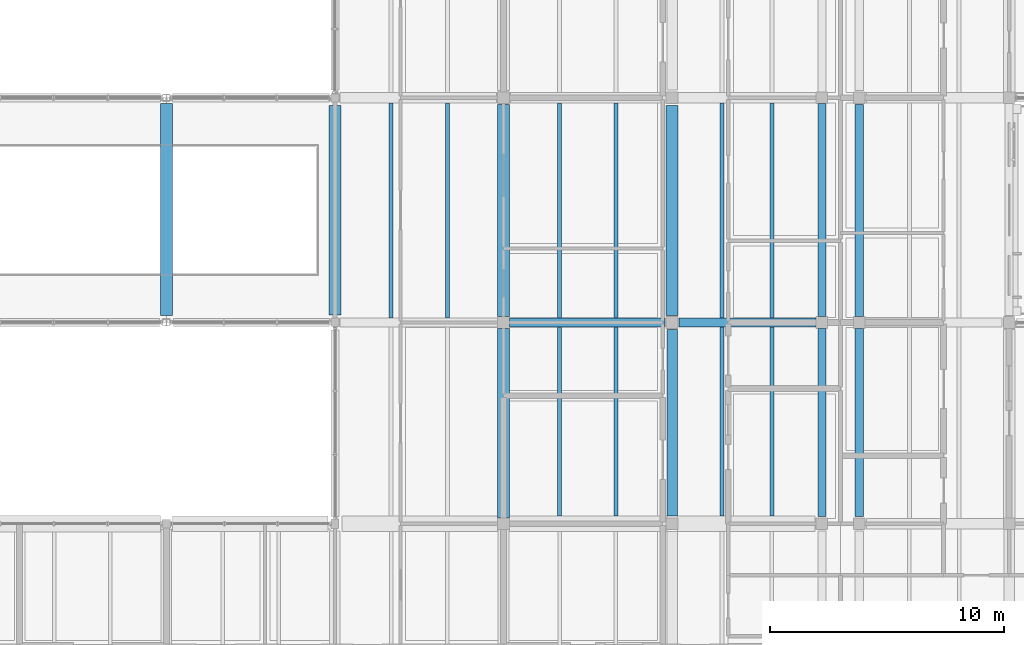
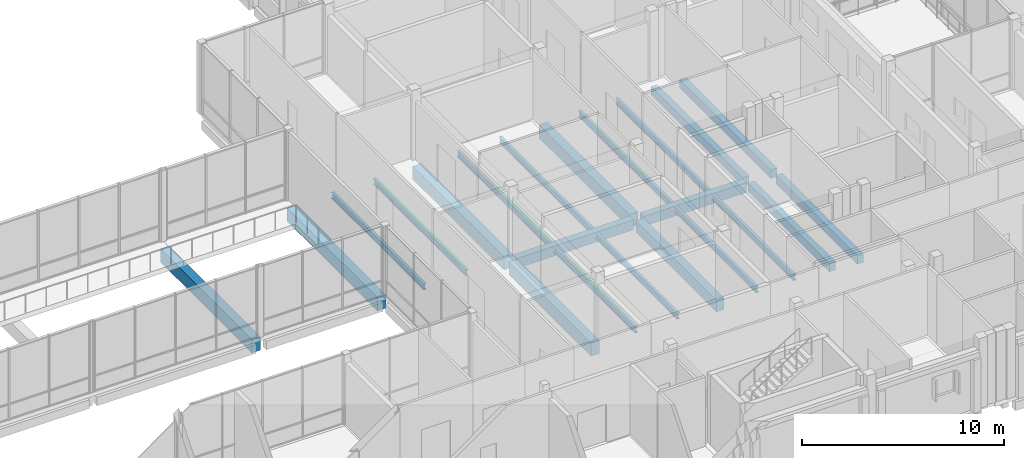
# One storey, part 73 of 146: 22 beams.
"""IFC4 building model written with IfcOpenShell, lengths in metres."""

from ifc_helpers import new_model, si_unit, direction, frame, origin, origin_2d, place, context, subcontext, project, spatial, rectangle, i_section, extrude, material, material_profile, profile_set, type_object, element, save


model = new_model("IFC4")

# Units and contexts
model_context = context("Model", 3, precision=1e-05, world=origin(), true_north=direction((0.0, 1.0)))
body_context = subcontext(model_context, "Body", "Model", "MODEL_VIEW")
ifc_project = project(units=[si_unit("LENGTHUNIT", "METRE"), si_unit("AREAUNIT", "SQUARE_METRE"), si_unit("VOLUMEUNIT", "CUBIC_METRE"), si_unit("PLANEANGLEUNIT", "RADIAN"), si_unit("MASSUNIT", "GRAM", prefix="KILO")], contexts=[model_context])

# Site, building, storey
site_placement = place(None, origin())
site = spatial("IfcSite", under=ifc_project, at=site_placement, CompositionType="ELEMENT")
building_placement = place(site_placement, origin())
building = spatial("IfcBuilding", under=site, at=building_placement, Name="Hawrajan Terrace Health Centre", CompositionType="ELEMENT")
storey_placement = place(building_placement, frame((0.0, 0.0, 4.5)))
storey = spatial("IfcBuildingStorey", under=building, at=storey_placement, Name="L01", CompositionType="ELEMENT", Elevation=4.5)

# Beams
ifc_material_1 = material(Name="Concrete C40/50", Category="concrete")
ifc_material_profile_1 = material_profile(ifc_material_1, rectangle(XDim=0.39990234375, YDim=0.60009765625, at=origin_2d()), Name="RC BM 400x600")
ifc_profile_set_1 = profile_set([ifc_material_profile_1], Name="Concrete C40/50")
beam_type_1 = type_object("IfcBeamType", Name="RCGirder_400x600", PredefinedType="BEAM", material=ifc_profile_set_1)
beam_1_placement = place(storey_placement, frame((115.25, 27.199951171875, -0.60009765625), z_axis=(1.0, 0.0, 0.0), x_axis=(0.0, 1.0, 0.0)))
element("IfcBeam", 1, at=beam_1_placement, inside=storey, type_object=beam_type_1, Name="Beam BM-X-L01-C-15-Y4", PredefinedType="BEAM", context=body_context, shape_type="SweptSolid", body=[
    extrude(rectangle(XDim=0.39990234375, YDim=0.60009765625, at=origin_2d()), origin(), (0.0, 0.0, 1.0), 6.64990234375),
])
beam_2_placement = place(storey_placement, frame((122.5, 27.199951171875, -0.60009765625), z_axis=(1.0, 0.0, 0.0), x_axis=(0.0, 1.0, 0.0)))
element("IfcBeam", 2, at=beam_2_placement, inside=storey, type_object=beam_type_1, Name="Beam BM-X-L01-C-16-Y4", PredefinedType="BEAM", context=body_context, shape_type="SweptSolid", body=[
    extrude(rectangle(XDim=0.39990234375, YDim=0.60009765625, at=origin_2d()), origin(), (0.0, 0.0, 1.0), 5.85009765625),
])
ifc_material_profile_2 = material_profile(ifc_material_1, rectangle(XDim=0.449951171875, YDim=0.699951171875, at=origin_2d()), Name="RC BM 450x700")
ifc_profile_set_2 = profile_set([ifc_material_profile_2], Name="Concrete C40/50")
beam_type_2 = type_object("IfcBeamType", Name="RCGirder_450x700", PredefinedType="BEAM", material=ifc_profile_set_2)
beam_3_placement = place(storey_placement, frame((122.199951171875, 18.925048828125, -0.64990234375), z_axis=(0.0, 1.0, 0.0), x_axis=(-1.0, 0.0, 0.0)))
element("IfcBeam", 3, at=beam_3_placement, inside=storey, type_object=beam_type_2, Name="Beam BM-Y-L01-C-X16-3", PredefinedType="BEAM", context=body_context, shape_type="SweptSolid", body=[
    extrude(rectangle(XDim=0.449951171875, YDim=0.699951171875, at=origin_2d()), origin(), (0.0, 0.0, 1.0), 7.974853515625),
])
ifc_material_profile_3 = material_profile(ifc_material_1, rectangle(XDim=0.5, YDim=0.800048828125, at=origin_2d()), Name="RC BM 500x800")
ifc_profile_set_3 = profile_set([ifc_material_profile_3], Name="Concrete C40/50")
beam_type_3 = type_object("IfcBeamType", Name="RCGirder_500x800", PredefinedType="BEAM", material=ifc_profile_set_3)
beam_4_placement = place(storey_placement, frame((100.60009765625, 27.5, -0.699951171875), z_axis=(0.0, 1.0, 0.0), x_axis=(-1.0, 0.0, 0.0)))
element("IfcBeam", 4, at=beam_4_placement, inside=storey, type_object=beam_type_3, Name="Beam BM-Y-L01-C-X13-4", PredefinedType="BEAM", context=body_context, shape_type="SweptSolid", body=[
    extrude(rectangle(XDim=0.5, YDim=0.800048828125, at=origin_2d()), origin(), (0.0, 0.0, 1.0), 9.050048828125),
])
beam_5_placement = place(storey_placement, frame((107.800048828125, 27.52490234375, -0.699951171875), z_axis=(0.0, 1.0, 0.0), x_axis=(-1.0, 0.0, 0.0)))
element("IfcBeam", 5, at=beam_5_placement, inside=storey, type_object=beam_type_3, Name="Beam BM-Y-L01-C-X14-4", PredefinedType="BEAM", context=body_context, shape_type="SweptSolid", body=[
    extrude(rectangle(XDim=0.5, YDim=0.800048828125, at=origin_2d()), origin(), (0.0, 0.0, 1.0), 8.9501953125),
])
beam_6_placement = place(storey_placement, frame((115.0, 18.85009765625, -0.699951171875), z_axis=(0.0, 1.0, 0.0), x_axis=(-1.0, 0.0, 0.0)))
element("IfcBeam", 6, at=beam_6_placement, inside=storey, type_object=beam_type_3, Name="Beam BM-Y-L01-C-X15-3", PredefinedType="BEAM", context=body_context, shape_type="SweptSolid", body=[
    extrude(rectangle(XDim=0.5, YDim=0.800048828125, at=origin_2d()), origin(), (0.0, 0.0, 1.0), 8.099853515625),
])
beam_7_placement = place(storey_placement, frame((115.0, 27.449951171875, -0.699951171875), z_axis=(0.0, 1.0, 0.0), x_axis=(-1.0, 0.0, 0.0)))
element("IfcBeam", 7, at=beam_7_placement, inside=storey, type_object=beam_type_3, Name="Beam BM-Y-L01-C-X15-4", PredefinedType="BEAM", context=body_context, shape_type="SweptSolid", body=[
    extrude(rectangle(XDim=0.5, YDim=0.800048828125, at=origin_2d()), origin(), (0.0, 0.0, 1.0), 9.050048828125),
])
beam_8_placement = place(storey_placement, frame((122.199951171875, 27.5, -0.699951171875), z_axis=(0.0, 1.0, 0.0), x_axis=(-1.0, 0.0, 0.0)))
element("IfcBeam", 8, at=beam_8_placement, inside=storey, type_object=beam_type_3, Name="Beam BM-Y-L01-C-X16-4", PredefinedType="BEAM", context=body_context, shape_type="SweptSolid", body=[
    extrude(rectangle(XDim=0.5, YDim=0.800048828125, at=origin_2d()), origin(), (0.0, 0.0, 1.0), 8.97509765625),
])
ifc_material_profile_4 = material_profile(ifc_material_1, rectangle(XDim=0.35009765625, YDim=0.52001953125, at=origin_2d()), Name="RC SP 350x520")
ifc_profile_set_4 = profile_set([ifc_material_profile_4], Name="Concrete C40/50")
beam_type_4 = type_object("IfcBeamType", Name="RCSpandrel_350x520", PredefinedType="SPANDREL", material=ifc_profile_set_4)
beam_9_placement = place(storey_placement, frame((128.60009765625, 18.89990234375, -0.56005859375), z_axis=(0.0, 1.0, 0.0), x_axis=(-1.0, 0.0, 0.0)))
element("IfcBeam", 9, at=beam_9_placement, inside=storey, type_object=beam_type_4, Name="Beam BM-Y-L01-C-X17-3", PredefinedType="SPANDREL", context=body_context, shape_type="SweptSolid", body=[
    extrude(rectangle(XDim=0.35009765625, YDim=0.52001953125, at=origin_2d()), origin(), (0.0, 0.0, 1.0), 8.050048828125),
])
beam_10_placement = place(storey_placement, frame((128.60009765625, 27.449951171875, -0.56005859375), z_axis=(0.0, 1.0, 0.0), x_axis=(-1.0, 0.0, 0.0)))
element("IfcBeam", 10, at=beam_10_placement, inside=storey, type_object=beam_type_4, Name="Beam BM-Y-L01-C-X17-4", PredefinedType="SPANDREL", context=body_context, shape_type="SweptSolid", body=[
    extrude(rectangle(XDim=0.35009765625, YDim=0.52001953125, at=origin_2d()), origin(), (0.0, 0.0, 1.0), 9.10009765625),
])
beam_11_placement = place(storey_placement, frame((130.199951171875, 18.89990234375, -0.659912109375), z_axis=(0.0, 1.0, 0.0), x_axis=(-1.0, 0.0, 0.0)))
element("IfcBeam", 11, at=beam_11_placement, inside=storey, type_object=beam_type_4, Name="Beam BM-Y-L01-E-X17-3", PredefinedType="SPANDREL", context=body_context, shape_type="SweptSolid", body=[
    extrude(rectangle(XDim=0.35009765625, YDim=0.52001953125, at=origin_2d()), origin(), (0.0, 0.0, 1.0), 8.050048828125),
])
beam_12_placement = place(storey_placement, frame((130.199951171875, 27.449951171875, -0.659912109375), z_axis=(0.0, 1.0, 0.0), x_axis=(-1.0, 0.0, 0.0)))
element("IfcBeam", 12, at=beam_12_placement, inside=storey, type_object=beam_type_4, Name="Beam BM-Y-L01-E-X17-4", PredefinedType="SPANDREL", context=body_context, shape_type="SweptSolid", body=[
    extrude(rectangle(XDim=0.35009765625, YDim=0.52001953125, at=origin_2d()), origin(), (0.0, 0.0, 1.0), 9.050048828125),
])
ifc_material_2 = material(Name="Steel S355", Category="steel")
ifc_material_profile_5 = material_profile(ifc_material_2, i_section(OverallWidth=0.169921875, OverallDepth=0.360107421875, WebThickness=0.008056640625, FlangeThickness=0.0126953125, FilletRadius=0.01806640625, at=origin_2d()), Name="IPE 360")
ifc_profile_set_5 = profile_set([ifc_material_profile_5], Name="Steel S355")
beam_type_5 = type_object("IfcBeamType", Name="SteelBeam_IPE360", PredefinedType="BEAM", material=ifc_profile_set_5)
for number, where, z_axis, x_axis, name in (
    (13, (110.199951171875, 27.39990234375, -0.47998046875), (0.0, 1.0, 0.0), (-1.0, 0.0, 0.0), "Secondary joist JST-L01-C-14-4-1"),
    (14, (112.60009765625, 27.39990234375, -0.47998046875), (0.0, 1.0, 0.0), (-1.0, 0.0, 0.0), "Secondary joist JST-L01-C-14-4-2"),
):
    element("IfcBeam", number, at=place(storey_placement, frame(where, z_axis=z_axis, x_axis=x_axis)), inside=storey, type_object=beam_type_5, Name=name, PredefinedType="BEAM", context=body_context, shape_type="SweptSolid", body=[
        extrude(i_section(OverallWidth=0.169921875, OverallDepth=0.360107421875, WebThickness=0.008056640625, FlangeThickness=0.0126953125, FilletRadius=0.01806640625, at=origin_2d()), origin(), (0.0, 0.0, 1.0), 9.175048828125),
    ])
for number, where, z_axis, x_axis, name in (
    (15, (117.39990234375, 18.925048828125, -0.47998046875), (0.0, 1.0, 0.0), (-1.0, 0.0, 0.0), "Secondary joist JST-L01-C-15-3-1"),
    (16, (119.800048828125, 18.925048828125, -0.47998046875), (0.0, 1.0, 0.0), (-1.0, 0.0, 0.0), "Secondary joist JST-L01-C-15-3-2"),
):
    element("IfcBeam", number, at=place(storey_placement, frame(where, z_axis=z_axis, x_axis=x_axis)), inside=storey, type_object=beam_type_5, Name=name, PredefinedType="BEAM", context=body_context, shape_type="SweptSolid", body=[
        extrude(i_section(OverallWidth=0.169921875, OverallDepth=0.360107421875, WebThickness=0.008056640625, FlangeThickness=0.0126953125, FilletRadius=0.01806640625, at=origin_2d()), origin(), (0.0, 0.0, 1.0), 8.074951171875),
    ])
for number, where, z_axis, x_axis, name in (
    (17, (117.39990234375, 27.39990234375, -0.47998046875), (0.0, 1.0, 0.0), (-1.0, 0.0, 0.0), "Secondary joist JST-L01-C-15-4-1"),
    (18, (119.800048828125, 27.39990234375, -0.47998046875), (0.0, 1.0, 0.0), (-1.0, 0.0, 0.0), "Secondary joist JST-L01-C-15-4-2"),
):
    element("IfcBeam", number, at=place(storey_placement, frame(where, z_axis=z_axis, x_axis=x_axis)), inside=storey, type_object=beam_type_5, Name=name, PredefinedType="BEAM", context=body_context, shape_type="SweptSolid", body=[
        extrude(i_section(OverallWidth=0.169921875, OverallDepth=0.360107421875, WebThickness=0.008056640625, FlangeThickness=0.0126953125, FilletRadius=0.01806640625, at=origin_2d()), origin(), (0.0, 0.0, 1.0), 9.175048828125),
    ])
for number, where, z_axis, x_axis, name in (
    (19, (124.333251953125, 18.925048828125, -0.47998046875), (0.0, 1.0, 0.0), (-1.0, 0.0, 0.0), "Secondary joist JST-L01-C-16-3-1"),
    (20, (126.466796875, 18.925048828125, -0.47998046875), (0.0, 1.0, 0.0), (-1.0, 0.0, 0.0), "Secondary joist JST-L01-C-16-3-2"),
):
    element("IfcBeam", number, at=place(storey_placement, frame(where, z_axis=z_axis, x_axis=x_axis)), inside=storey, type_object=beam_type_5, Name=name, PredefinedType="BEAM", context=body_context, shape_type="SweptSolid", body=[
        extrude(i_section(OverallWidth=0.169921875, OverallDepth=0.360107421875, WebThickness=0.008056640625, FlangeThickness=0.0126953125, FilletRadius=0.01806640625, at=origin_2d()), origin(), (0.0, 0.0, 1.0), 8.074951171875),
    ])
for number, where, z_axis, x_axis, name in (
    (21, (124.333251953125, 27.39990234375, -0.47998046875), (0.0, 1.0, 0.0), (-1.0, 0.0, 0.0), "Secondary joist JST-L01-C-16-4-1"),
    (22, (126.466796875, 27.39990234375, -0.47998046875), (0.0, 1.0, 0.0), (-1.0, 0.0, 0.0), "Secondary joist JST-L01-C-16-4-2"),
):
    element("IfcBeam", number, at=place(storey_placement, frame(where, z_axis=z_axis, x_axis=x_axis)), inside=storey, type_object=beam_type_5, Name=name, PredefinedType="BEAM", context=body_context, shape_type="SweptSolid", body=[
        extrude(i_section(OverallWidth=0.169921875, OverallDepth=0.360107421875, WebThickness=0.008056640625, FlangeThickness=0.0126953125, FilletRadius=0.01806640625, at=origin_2d()), origin(), (0.0, 0.0, 1.0), 9.175048828125),
    ])

save(model, "model.ifc")
